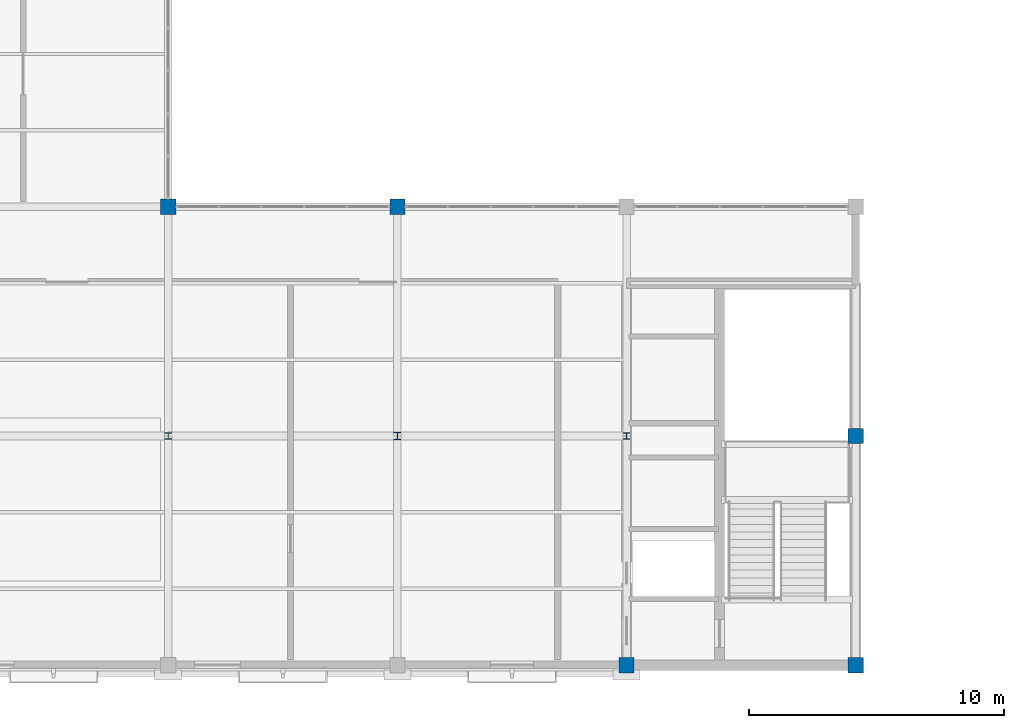
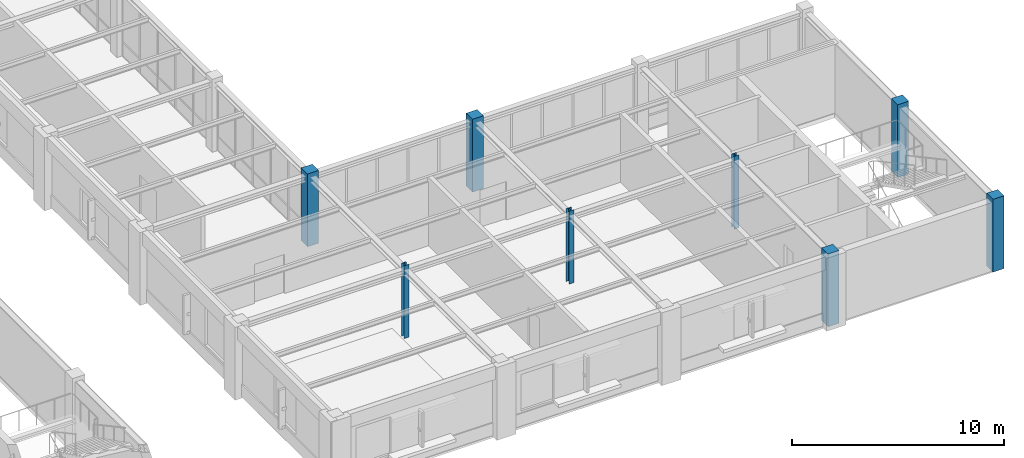
# One storey, part 6 of 130: 8 columns.
"""IFC4 building model written with IfcOpenShell, lengths in metres."""

import ifcopenshell
import ifcopenshell.guid

model = None  # the IFC model being written
_history = None  # IfcOwnerHistory: only IFC2X3 demands one
_inside = {}  # id of a spatial element -> (the spatial element, [elements in it])
_under = {}  # id of a project, library or spatial element -> (it, [spatial elements below it])
_declared = {}  # id of a project -> (the project, [libraries it declares])
_typed = {}  # id of a type object -> (the type object, [elements of that type])
_made_of = {}  # id of a material, layer set ... -> (it, [elements and type objects made of it])


def new_model(schema):
    """Start an empty IFC model of exactly this schema.

    Asked for "IFC4X3", IfcOpenShell would pick the latest addendum, in which some entities
    have other attributes; the version numbers below select the first issue.
    IFC2X3 requires an IfcOwnerHistory on every rooted entity: one is made here for all.
    """
    global model, _history
    if schema == "IFC4X3":
        model = ifcopenshell.file(schema_version=(4, 3, 0, 0))
    else:
        model = ifcopenshell.file(schema=schema)
    _inside.clear()
    _under.clear()
    _declared.clear()
    _typed.clear()
    _made_of.clear()
    _history = None
    if model.schema == "IFC2X3":
        org = make("IfcOrganization", Name="unknown")
        user = make(
            "IfcPersonAndOrganization",
            ThePerson=make("IfcPerson", FamilyName="unknown"),
            TheOrganization=org,
        )
        app = make(
            "IfcApplication",
            ApplicationDeveloper=org,
            Version="unknown",
            ApplicationFullName="unknown",
            ApplicationIdentifier="unknown",
        )
        _history = make(
            "IfcOwnerHistory",
            OwningUser=user,
            OwningApplication=app,
            ChangeAction="ADDED",
            CreationDate=0,
        )
    return model


def make(cls, **values):
    """One entity of the class cls with the attributes given. An attribute that is None is left unset."""
    return model.create_entity(
        cls, **{name: value for name, value in values.items() if value is not None}
    )


def rooted(cls, **values):
    """An entity with a GlobalId (a new one), such as an element, a storey or a relation."""
    return make(cls, GlobalId=ifcopenshell.guid.new(), OwnerHistory=_history, **values)


def si_unit(unit_type, name, prefix=None):
    """IfcSIUnit, for example si_unit("LENGTHUNIT", "METRE", prefix="MILLI")."""
    return make("IfcSIUnit", UnitType=unit_type, Prefix=prefix, Name=name)


def assignment(units):
    """IfcUnitAssignment: the units of a project."""
    return None if units is None else make("IfcUnitAssignment", Units=units)


def point(xyz):
    """IfcCartesianPoint."""
    return None if xyz is None else make("IfcCartesianPoint", Coordinates=xyz)


def direction(xyz):
    """IfcDirection."""
    return None if xyz is None else make("IfcDirection", DirectionRatios=xyz)


def frame(location, z_axis=None, x_axis=None):
    """IfcAxis2Placement3D, a coordinate frame: its origin and axes. An axis left out is left unset."""
    return make(
        "IfcAxis2Placement3D",
        Location=point(location),
        Axis=direction(z_axis),
        RefDirection=direction(x_axis),
    )


def frame_2d(location, x_axis=None):
    """IfcAxis2Placement2D, a coordinate frame in the plane: its origin and x axis."""
    return make(
        "IfcAxis2Placement2D", Location=point(location), RefDirection=direction(x_axis)
    )


def origin():
    """The frame at (0, 0, 0) with its axes left unset."""
    return frame((0.0, 0.0, 0.0))


def origin_2d():
    """The frame at (0, 0) in the plane with its x axis left unset."""
    return frame_2d((0.0, 0.0))


def place(relative_to, where):
    """IfcLocalPlacement: puts the frame where relative to a parent placement (None: the world)."""
    return make(
        "IfcLocalPlacement", PlacementRelTo=relative_to, RelativePlacement=where
    )


def context(
    kind, dimensions, precision=None, world=None, true_north=None, identifier=None
):
    """IfcGeometricRepresentationContext, for example the 3D "Model" context."""
    return make(
        "IfcGeometricRepresentationContext",
        ContextIdentifier=identifier,
        ContextType=kind,
        CoordinateSpaceDimension=dimensions,
        Precision=precision,
        WorldCoordinateSystem=world,
        TrueNorth=true_north,
    )


def subcontext(parent, identifier, kind, view, scale=None):
    """IfcGeometricRepresentationSubContext, for example "Body" below "Model"."""
    return make(
        "IfcGeometricRepresentationSubContext",
        ContextIdentifier=identifier,
        ContextType=kind,
        ParentContext=parent,
        TargetScale=scale,
        TargetView=view,
    )


def project(units=None, contexts=None):
    """IfcProject with its units and contexts."""
    return rooted(
        "IfcProject",
        Name="project",
        RepresentationContexts=contexts,
        UnitsInContext=assignment(units),
    )


def spatial(cls, under=None, at=None, **own):
    """A site, building, storey or space (cls), placed at a placement, below another one or the project."""
    s = rooted(cls, ObjectPlacement=at, **own)
    if under is not None:
        _under.setdefault(under.id(), (under, []))[1].append(s)
    return s


def profile(cls, at=None, kind="AREA", **sizes):
    """A parametric profile (cls). Its sizes go by their IFC names, for example OverallWidth=200.0."""
    return make(cls, ProfileType=kind, Position=at, **sizes)


def rectangle(**sizes):
    """IfcRectangleProfileDef."""
    return profile("IfcRectangleProfileDef", **sizes)


def i_section(**sizes):
    """IfcIShapeProfileDef."""
    return profile("IfcIShapeProfileDef", **sizes)


def extrude(swept, where, along, depth):
    """IfcExtrudedAreaSolid: the profile swept, set in the frame where, extruded along a direction by depth."""
    return make(
        "IfcExtrudedAreaSolid",
        SweptArea=swept,
        Position=where,
        ExtrudedDirection=direction(along),
        Depth=depth,
    )


def shape(context_of_items, identifier, shape_type, items):
    """IfcShapeRepresentation: the items that make up one representation, for example the "Body"."""
    return make(
        "IfcShapeRepresentation",
        ContextOfItems=context_of_items,
        RepresentationIdentifier=identifier,
        RepresentationType=shape_type,
        Items=items,
    )


def material(Name=None, Category=None):
    """IfcMaterial."""
    return make("IfcMaterial", Name=Name, Category=Category)


def material_profile(
    of_material, cross_section, Name=None, Category=None, Priority=None
):
    """IfcMaterialProfile: a cross section and its material."""
    return make(
        "IfcMaterialProfile",
        Name=Name,
        Material=of_material,
        Profile=cross_section,
        Priority=Priority,
        Category=Category,
    )


def profile_set(profiles, Name=None, composite=None):
    """IfcMaterialProfileSet."""
    return make(
        "IfcMaterialProfileSet",
        Name=Name,
        MaterialProfiles=profiles,
        CompositeProfile=composite,
    )


def made_of(thing, what):
    """Note that an element or type object is made of a material, layer set ...; save() writes the relation."""
    if what is not None:
        _made_of.setdefault(what.id(), (what, []))[1].append(thing)
    return thing


def type_object(cls, material=None, **own):
    """A type object (cls), such as IfcWallType, which elements share."""
    return made_of(rooted(cls, **own), material)


def element(
    cls,
    number,
    at=None,
    inside=None,
    cuts=None,
    type_object=None,
    material=None,
    context=None,
    identifier="Body",
    shape_type=None,
    held_by="IfcProductDefinitionShape",
    body=None,
    shapes=None,
    **own,
):
    """One element of the class cls, such as IfcWall. Its Tag is "e" and its number.

    at: its placement. inside: the storey or other place that contains it. cuts: it is an
    opening in that element (IfcRelVoidsElement). A single representation is given by context,
    identifier, shape_type and body (its items); several are given by shapes. held_by: the class
    of the entity that holds the representations. save() writes the other relations.
    """
    e = rooted(cls, Tag="e%d" % number, ObjectPlacement=at, **own)
    if body is not None:
        shapes = [shape(context, identifier, shape_type, body)]
    if shapes is not None:
        e.Representation = make(held_by, Representations=shapes)
    if inside is not None:
        _inside.setdefault(inside.id(), (inside, []))[1].append(e)
    if cuts is not None:
        rooted(
            "IfcRelVoidsElement", RelatingBuildingElement=cuts, RelatedOpeningElement=e
        )
    if type_object is not None:
        _typed.setdefault(type_object.id(), (type_object, []))[1].append(e)
    return made_of(e, material)


def aggregate(whole, parts):
    """IfcRelAggregates: a whole, such as a stair, and the parts it consists of."""
    return rooted("IfcRelAggregates", RelatingObject=whole, RelatedObjects=parts)


def save(model, path):
    """Write the relations noted so far, then the file.

    IfcRelAggregates (storeys below a building ...), IfcRelContainedInSpatialStructure (elements
    in a storey), IfcRelDefinesByType, IfcRelAssociatesMaterial and IfcRelDeclares: one each for
    every whole, place, type object, material and project.
    """
    for whole, parts in _under.values():
        aggregate(whole, parts)
    for where, things in _inside.values():
        rooted(
            "IfcRelContainedInSpatialStructure",
            RelatedElements=things,
            RelatingStructure=where,
        )
    for kind, things in _typed.values():
        rooted("IfcRelDefinesByType", RelatedObjects=things, RelatingType=kind)
    for what, things in _made_of.values():
        rooted("IfcRelAssociatesMaterial", RelatedObjects=things, RelatingMaterial=what)
    for by, libraries in _declared.values():
        rooted("IfcRelDeclares", RelatingContext=by, RelatedDefinitions=libraries)
    model.write(path)


model = new_model("IFC4")

# Units and contexts
model_context = context("Model", 3, precision=1e-05, world=origin(), true_north=direction((0.0, 1.0)))
body_context = subcontext(model_context, "Body", "Model", "MODEL_VIEW")
ifc_project = project(units=[si_unit("LENGTHUNIT", "METRE"), si_unit("AREAUNIT", "SQUARE_METRE"), si_unit("VOLUMEUNIT", "CUBIC_METRE"), si_unit("PLANEANGLEUNIT", "RADIAN"), si_unit("MASSUNIT", "GRAM", prefix="KILO")], contexts=[model_context])

# Site, building, storey
site_placement = place(None, origin())
site = spatial("IfcSite", under=ifc_project, at=site_placement, CompositionType="ELEMENT")
building_placement = place(site_placement, origin())
building = spatial("IfcBuilding", under=site, at=building_placement, Name="Lykobir Media Centre", CompositionType="ELEMENT")
storey_placement = place(building_placement, frame((0.0, 0.0, 19.199951171875)))
storey = spatial("IfcBuildingStorey", under=building, at=storey_placement, Name="L04", CompositionType="ELEMENT", Elevation=19.199951171875)

# Columns
ifc_material_1 = material(Name="Concrete C40/50", Category="concrete")
ifc_material_profile_1 = material_profile(ifc_material_1, rectangle(XDim=0.60009765625, YDim=0.60009765625, at=origin_2d()), Name="RC 600x600")
ifc_profile_set_1 = profile_set([ifc_material_profile_1], Name="Concrete C40/50")
column_type_1 = type_object("IfcColumnType", Name="RC-C600", PredefinedType="COLUMN", material=ifc_profile_set_1)
for number, where, z_axis, x_axis, name in (
    (1, (99.0, 18.0, 0.0), (0.0, 0.0, 1.0), (1.0, 0.0, 0.0), "Column COL-L04-0990-0180"),
    (2, (108.0, 18.0, 0.0), (0.0, 0.0, 1.0), (1.0, 0.0, 0.0), "Column COL-L04-1080-0180"),
    (3, (126.0, 9.0, 0.0), (0.0, 0.0, 1.0), (1.0, 0.0, 0.0), "Column COL-L04-1260-0090"),
):
    element("IfcColumn", number, at=place(storey_placement, frame(where, z_axis=z_axis, x_axis=x_axis)), inside=storey, type_object=column_type_1, Name=name, PredefinedType="COLUMN", context=body_context, shape_type="SweptSolid", body=[
        extrude(rectangle(XDim=0.60009765625, YDim=0.60009765625, at=origin_2d()), origin(), (0.0, 0.0, 1.0), 4.199951171875),
    ])
ifc_material_profile_2 = material_profile(ifc_material_1, rectangle(XDim=0.60009765625, YDim=0.60009765625, at=origin_2d()), Name="RC 600x600")
ifc_profile_set_2 = profile_set([ifc_material_profile_2], Name="Concrete C40/50")
column_type_2 = type_object("IfcColumnType", Name="RC-C600-E", PredefinedType="COLUMN", material=ifc_profile_set_2)
for number, where, z_axis, x_axis, name in (
    (4, (117.0, 0.0, 0.0), (0.0, 0.0, 1.0), (1.0, 0.0, 0.0), "Column COL-L04-1170-0000"),
    (5, (126.0, 0.0, 0.0), (0.0, 0.0, 1.0), (1.0, 0.0, 0.0), "Column COL-L04-1260-0000"),
):
    element("IfcColumn", number, at=place(storey_placement, frame(where, z_axis=z_axis, x_axis=x_axis)), inside=storey, type_object=column_type_2, Name=name, PredefinedType="COLUMN", context=body_context, shape_type="SweptSolid", body=[
        extrude(rectangle(XDim=0.60009765625, YDim=0.60009765625, at=origin_2d()), origin(), (0.0, 0.0, 1.0), 4.199951171875),
    ])
ifc_material_2 = material(Name="Steel S355", Category="steel")
ifc_material_profile_3 = material_profile(ifc_material_2, i_section(OverallWidth=0.260009765625, OverallDepth=0.260009765625, WebThickness=0.010009765625, FlangeThickness=0.017578125, at=origin_2d()), Name="HEB 260")
ifc_profile_set_3 = profile_set([ifc_material_profile_3], Name="Steel S355")
column_type_3 = type_object("IfcColumnType", Name="SC-HEB260", PredefinedType="COLUMN", material=ifc_profile_set_3)
for number, where, z_axis, x_axis, name in (
    (6, (99.0, 9.0, 0.0), (0.0, 0.0, 1.0), (1.0, 0.0, 0.0), "Column COL-L04-0990-0090"),
    (7, (117.0, 9.0, 0.0), (0.0, 0.0, 1.0), (1.0, 0.0, 0.0), "Column COL-L04-1170-0090"),
):
    element("IfcColumn", number, at=place(storey_placement, frame(where, z_axis=z_axis, x_axis=x_axis)), inside=storey, type_object=column_type_3, Name=name, PredefinedType="COLUMN", context=body_context, shape_type="SweptSolid", body=[
        extrude(i_section(OverallWidth=0.260009765625, OverallDepth=0.260009765625, WebThickness=0.010009765625, FlangeThickness=0.017578125, at=origin_2d()), origin(), (0.0, 0.0, 1.0), 4.199951171875),
    ])
ifc_material_profile_4 = material_profile(ifc_material_2, i_section(OverallWidth=0.280029296875, OverallDepth=0.280029296875, WebThickness=0.010498046875, FlangeThickness=0.01806640625, at=origin_2d()), Name="HEB 280")
ifc_profile_set_4 = profile_set([ifc_material_profile_4], Name="Steel S355")
column_type_4 = type_object("IfcColumnType", Name="SC-HEB280", PredefinedType="COLUMN", material=ifc_profile_set_4)
column_placement = place(storey_placement, frame((108.0, 9.0, 0.0), z_axis=(0.0, 0.0, 1.0), x_axis=(1.0, 0.0, 0.0)))
element("IfcColumn", 8, at=column_placement, inside=storey, type_object=column_type_4, Name="Column COL-L04-1080-0090", PredefinedType="COLUMN", context=body_context, shape_type="SweptSolid", body=[
    extrude(i_section(OverallWidth=0.280029296875, OverallDepth=0.280029296875, WebThickness=0.010498046875, FlangeThickness=0.01806640625, at=origin_2d()), origin(), (0.0, 0.0, 1.0), 4.199951171875),
])

save(model, "model.ifc")
